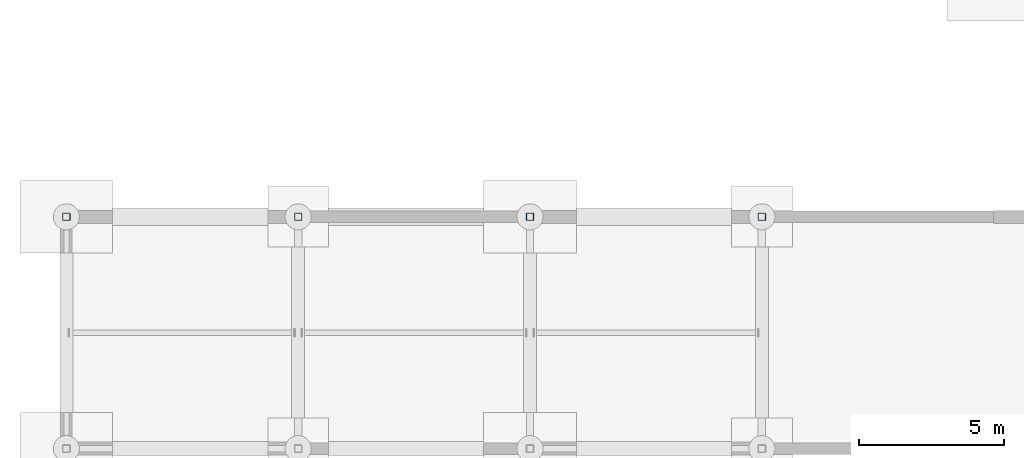
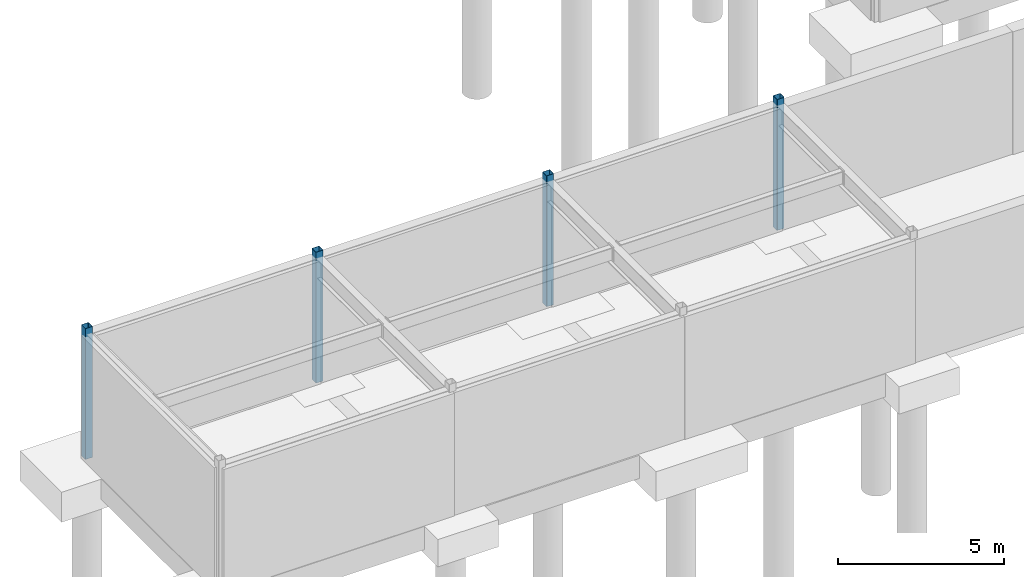
# One storey, part 25 of 105: 4 columns.
"""IFC4 building model written with IfcOpenShell, lengths in metres."""

from ifc_helpers import new_model, si_unit, direction, frame, origin, origin_2d, place, context, subcontext, project, spatial, hollow_rectangle, extrude, material, material_profile, profile_set, type_object, element, save


model = new_model("IFC4")

# Units and contexts
model_context = context("Model", 3, precision=1e-05, world=origin(), true_north=direction((0.0, 1.0)))
body_context = subcontext(model_context, "Body", "Model", "MODEL_VIEW")
ifc_project = project(units=[si_unit("LENGTHUNIT", "METRE"), si_unit("AREAUNIT", "SQUARE_METRE"), si_unit("VOLUMEUNIT", "CUBIC_METRE"), si_unit("PLANEANGLEUNIT", "RADIAN"), si_unit("MASSUNIT", "GRAM", prefix="KILO")], contexts=[model_context])

# Site, building, storey
site_placement = place(None, origin())
site = spatial("IfcSite", under=ifc_project, at=site_placement, CompositionType="ELEMENT")
building_placement = place(site_placement, origin())
building = spatial("IfcBuilding", under=site, at=building_placement, Name="Solmirada Galleria", CompositionType="ELEMENT")
storey_placement = place(building_placement, frame((0.0, 0.0, -4.800048828125)))
storey = spatial("IfcBuildingStorey", under=building, at=storey_placement, Name="B1", CompositionType="ELEMENT", Elevation=-4.800048828125)

# Columns
ifc_material = material(Name="Steel S355 / ASTM A500 Grade C", Category="steel")
ifc_material_profile = material_profile(ifc_material, hollow_rectangle(XDim=0.25390625, YDim=0.25390625, WallThickness=0.0087890625, InnerFilletRadius=0.0087890625, OuterFilletRadius=0.017822265625, at=origin_2d()), Name="HSS10X10X3/8")
ifc_profile_set = profile_set([ifc_material_profile], Name="Steel S355 / ASTM A500 Grade C")
column_type = type_object("IfcColumnType", Name="COL-HSS10", PredefinedType="COLUMN", material=ifc_profile_set)
for number, where, z_axis, x_axis, name in (
    (1, (8.0, 64.0, 0.0), (0.0, 0.0, 1.0), (1.0, 0.0, 0.0), "Structural column B1-0003"),
    (2, (16.0, 64.0, 0.0), (0.0, 0.0, 1.0), (1.0, 0.0, 0.0), "Structural column B1-0007"),
    (3, (24.0, 64.0, 0.0), (0.0, 0.0, 1.0), (1.0, 0.0, 0.0), "Structural column B1-0011"),
    (4, (32.0, 64.0, 0.0), (0.0, 0.0, 1.0), (1.0, 0.0, 0.0), "Structural column B1-0015"),
):
    element("IfcColumn", number, at=place(storey_placement, frame(where, z_axis=z_axis, x_axis=x_axis)), inside=storey, type_object=column_type, Name=name, PredefinedType="COLUMN", context=body_context, shape_type="SweptSolid", body=[
        extrude(hollow_rectangle(XDim=0.25390625, YDim=0.25390625, WallThickness=0.0087890625, InnerFilletRadius=0.0087890625, OuterFilletRadius=0.017822265625, at=origin_2d()), origin(), (0.0, 0.0, 1.0), 4.800048828125),
    ])

save(model, "model.ifc")
